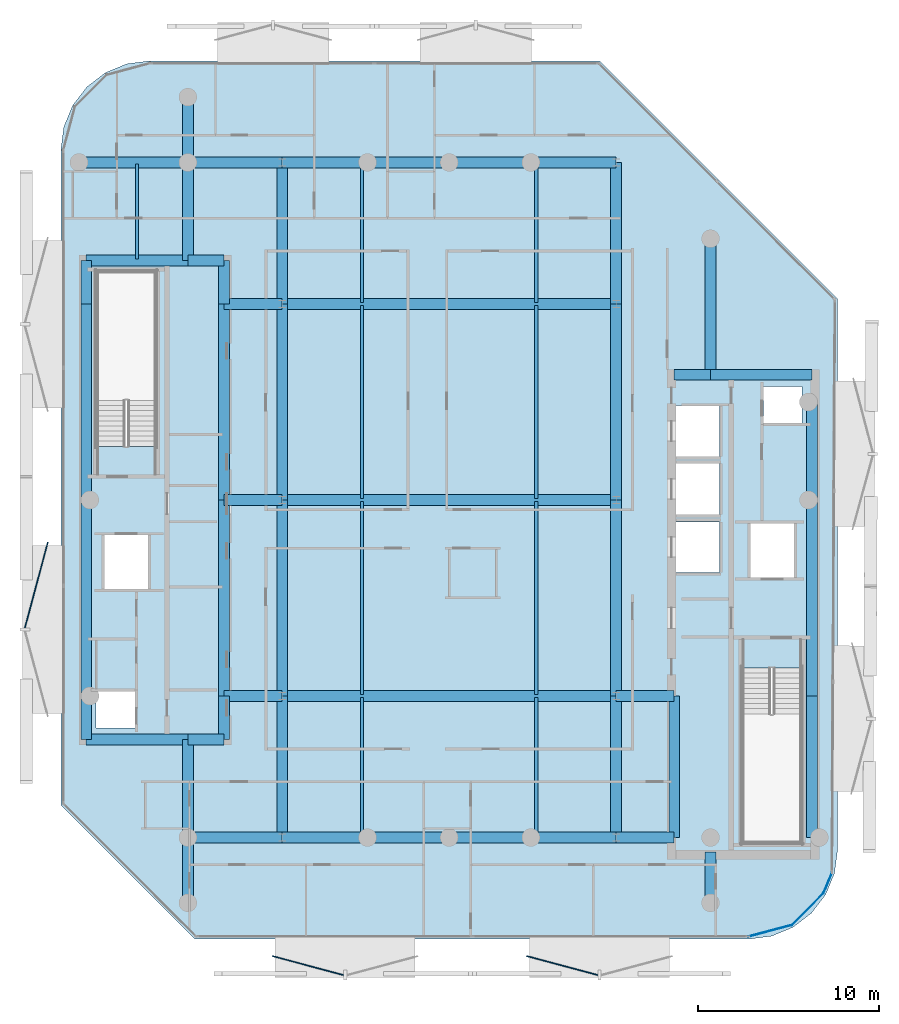
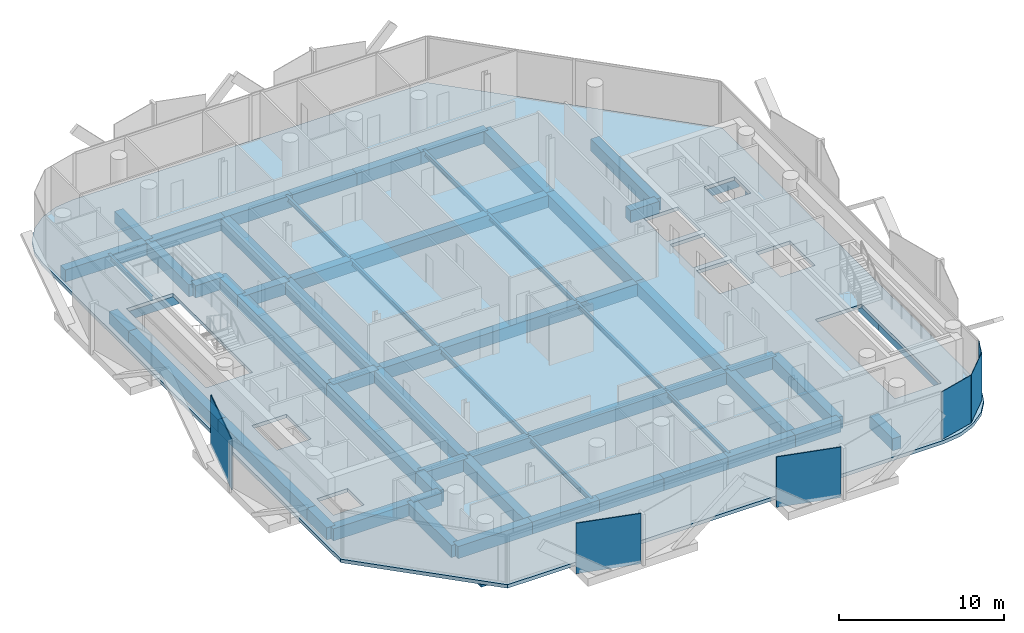
# One storey, part 3 of 16: 60 beams, 6 plates, 1 slab.
"""IFC4 building model written with IfcOpenShell, lengths in metres."""

from ifc_helpers import new_model, si_unit, direction, frame, origin, origin_2d, place, context, subcontext, project, spatial, polyline, rectangle, i_section, outline, extrude, material, layer, layer_set, material_profile, profile_set, type_object, element, save


model = new_model("IFC4")

# Units and contexts
model_context = context("Model", 3, precision=1e-05, world=origin(), true_north=direction((0.0, 1.0)))
body_context = subcontext(model_context, "Body", "Model", "MODEL_VIEW")
ifc_project = project(units=[si_unit("LENGTHUNIT", "METRE"), si_unit("AREAUNIT", "SQUARE_METRE"), si_unit("VOLUMEUNIT", "CUBIC_METRE"), si_unit("PLANEANGLEUNIT", "RADIAN"), si_unit("MASSUNIT", "GRAM", prefix="KILO")], contexts=[model_context])

# Site, building, storey
site_placement = place(None, origin())
site = spatial("IfcSite", under=ifc_project, at=site_placement, CompositionType="ELEMENT")
building_placement = place(site_placement, origin())
building = spatial("IfcBuilding", under=site, at=building_placement, Name="Khairoan Windgate Tower", CompositionType="ELEMENT")
storey_placement = place(building_placement, frame((0.0, 0.0, 296.60009765625)))
storey = spatial("IfcBuildingStorey", under=building, at=storey_placement, Name="L71", CompositionType="ELEMENT", Elevation=296.60009765625)

# Beams
ifc_material_1 = material(Name="Concrete C50/60", Category="concrete")
ifc_material_profile_1 = material_profile(ifc_material_1, rectangle(XDim=0.60009765625, YDim=0.89990234375, at=origin_2d()))
ifc_profile_set_1 = profile_set([ifc_material_profile_1], Name="Concrete C50/60")
beam_type_1 = type_object("IfcBeamType", Name="Beam B-RC1 RC600x900", PredefinedType="BEAM", material=ifc_profile_set_1)
beam_1_placement = place(storey_placement, frame((-14.39990234375, -18.60009765625, -0.710205078125), z_axis=(1.0, 0.0, 0.0), x_axis=(0.0, 1.0, 0.0)))
element("IfcBeam", 1, at=beam_1_placement, inside=storey, type_object=beam_type_1, Name="L71 E-W Primary Girder 01", PredefinedType="BEAM", context=body_context, shape_type="SweptSolid", body=[
    extrude(rectangle(XDim=0.60009765625, YDim=0.89990234375, at=origin_2d()), origin(), (0.0, 0.0, 1.0), 5.199951171875),
])
beam_2_placement = place(storey_placement, frame((-9.199951171875, -18.60009765625, -0.710205078125), z_axis=(1.0, 0.0, 0.0), x_axis=(0.0, 1.0, 0.0)))
element("IfcBeam", 2, at=beam_2_placement, inside=storey, type_object=beam_type_1, Name="L71 E-W Primary Girder 02", PredefinedType="BEAM", context=body_context, shape_type="SweptSolid", body=[
    extrude(rectangle(XDim=0.60009765625, YDim=0.89990234375, at=origin_2d()), origin(), (0.0, 0.0, 1.0), 4.699951171875),
])
for number, where, z_axis, x_axis, name in (
    (3, (-4.5, -18.60009765625, -0.710205078125), (1.0, 0.0, 0.0), (0.0, 1.0, 0.0), "L71 E-W Primary Girder 03"),
    (4, (0.0, -18.60009765625, -0.710205078125), (1.0, 0.0, 0.0), (0.0, 1.0, 0.0), "L71 E-W Primary Girder 04"),
):
    element("IfcBeam", number, at=place(storey_placement, frame(where, z_axis=z_axis, x_axis=x_axis)), inside=storey, type_object=beam_type_1, Name=name, PredefinedType="BEAM", context=body_context, shape_type="SweptSolid", body=[
        extrude(rectangle(XDim=0.60009765625, YDim=0.89990234375, at=origin_2d()), origin(), (0.0, 0.0, 1.0), 4.5),
    ])
beam_3_placement = place(storey_placement, frame((4.5, -18.60009765625, -0.710205078125), z_axis=(1.0, 0.0, 0.0), x_axis=(0.0, 1.0, 0.0)))
element("IfcBeam", 5, at=beam_3_placement, inside=storey, type_object=beam_type_1, Name="L71 E-W Primary Girder 05", PredefinedType="BEAM", context=body_context, shape_type="SweptSolid", body=[
    extrude(rectangle(XDim=0.60009765625, YDim=0.89990234375, at=origin_2d()), origin(), (0.0, 0.0, 1.0), 4.699951171875),
])
beam_4_placement = place(storey_placement, frame((9.199951171875, -18.60009765625, -0.710205078125), z_axis=(1.0, 0.0, 0.0), x_axis=(0.0, 1.0, 0.0)))
element("IfcBeam", 6, at=beam_4_placement, inside=storey, type_object=beam_type_1, Name="L71 E-W Primary Girder 06", PredefinedType="BEAM", context=body_context, shape_type="SweptSolid", body=[
    extrude(rectangle(XDim=0.60009765625, YDim=0.89990234375, at=origin_2d()), origin(), (0.0, 0.0, 1.0), 3.199951171875),
])
beam_5_placement = place(storey_placement, frame((-20.0, -13.199951171875, -0.710205078125), z_axis=(1.0, 0.0, 0.0), x_axis=(0.0, 1.0, 0.0)))
element("IfcBeam", 7, at=beam_5_placement, inside=storey, type_object=beam_type_1, Name="L71 E-W Primary Girder 07", PredefinedType="BEAM", context=body_context, shape_type="SweptSolid", body=[
    extrude(rectangle(XDim=0.60009765625, YDim=0.89990234375, at=origin_2d()), origin(), (0.0, 0.0, 1.0), 5.60009765625),
])
beam_6_placement = place(storey_placement, frame((-14.39990234375, -13.199951171875, -0.710205078125), z_axis=(1.0, 0.0, 0.0), x_axis=(0.0, 1.0, 0.0)))
element("IfcBeam", 8, at=beam_6_placement, inside=storey, type_object=beam_type_1, Name="L71 E-W Primary Girder 08", PredefinedType="BEAM", context=body_context, shape_type="SweptSolid", body=[
    extrude(rectangle(XDim=0.60009765625, YDim=0.89990234375, at=origin_2d()), origin(), (0.0, 0.0, 1.0), 2.0),
])
beam_7_placement = place(storey_placement, frame((-12.39990234375, -10.800048828125, -0.710205078125), z_axis=(1.0, 0.0, 0.0), x_axis=(0.0, 1.0, 0.0)))
element("IfcBeam", 9, at=beam_7_placement, inside=storey, type_object=beam_type_1, Name="L71 E-W Primary Girder 09", PredefinedType="BEAM", context=body_context, shape_type="SweptSolid", body=[
    extrude(rectangle(XDim=0.60009765625, YDim=0.89990234375, at=origin_2d()), origin(), (0.0, 0.0, 1.0), 3.199951171875),
])
beam_8_placement = place(storey_placement, frame((-9.199951171875, -10.800048828125, -0.710205078125), z_axis=(1.0, 0.0, 0.0), x_axis=(0.0, 1.0, 0.0)))
element("IfcBeam", 10, at=beam_8_placement, inside=storey, type_object=beam_type_1, Name="L71 E-W Primary Girder 10", PredefinedType="BEAM", context=body_context, shape_type="SweptSolid", body=[
    extrude(rectangle(XDim=0.60009765625, YDim=0.89990234375, at=origin_2d()), origin(), (0.0, 0.0, 1.0), 18.39990234375),
])
for number, where, z_axis, x_axis, name in (
    (11, (9.199951171875, -10.800048828125, -0.710205078125), (1.0, 0.0, 0.0), (0.0, 1.0, 0.0), "L71 E-W Primary Girder 11"),
    (12, (-12.39990234375, 0.0, -0.710205078125), (1.0, 0.0, 0.0), (0.0, 1.0, 0.0), "L71 E-W Primary Girder 12"),
):
    element("IfcBeam", number, at=place(storey_placement, frame(where, z_axis=z_axis, x_axis=x_axis)), inside=storey, type_object=beam_type_1, Name=name, PredefinedType="BEAM", context=body_context, shape_type="SweptSolid", body=[
        extrude(rectangle(XDim=0.60009765625, YDim=0.89990234375, at=origin_2d()), origin(), (0.0, 0.0, 1.0), 3.199951171875),
    ])
beam_9_placement = place(storey_placement, frame((-9.199951171875, 0.0, -0.710205078125), z_axis=(1.0, 0.0, 0.0), x_axis=(0.0, 1.0, 0.0)))
element("IfcBeam", 13, at=beam_9_placement, inside=storey, type_object=beam_type_1, Name="L71 E-W Primary Girder 13", PredefinedType="BEAM", context=body_context, shape_type="SweptSolid", body=[
    extrude(rectangle(XDim=0.60009765625, YDim=0.89990234375, at=origin_2d()), origin(), (0.0, 0.0, 1.0), 18.39990234375),
])
beam_10_placement = place(storey_placement, frame((12.39990234375, 6.89990234375, -0.710205078125), z_axis=(1.0, 0.0, 0.0), x_axis=(0.0, 1.0, 0.0)))
element("IfcBeam", 14, at=beam_10_placement, inside=storey, type_object=beam_type_1, Name="L71 E-W Primary Girder 14", PredefinedType="BEAM", context=body_context, shape_type="SweptSolid", body=[
    extrude(rectangle(XDim=0.60009765625, YDim=0.89990234375, at=origin_2d()), origin(), (0.0, 0.0, 1.0), 2.0),
])
beam_11_placement = place(storey_placement, frame((14.39990234375, 6.89990234375, -0.710205078125), z_axis=(1.0, 0.0, 0.0), x_axis=(0.0, 1.0, 0.0)))
element("IfcBeam", 15, at=beam_11_placement, inside=storey, type_object=beam_type_1, Name="L71 E-W Primary Girder 15", PredefinedType="BEAM", context=body_context, shape_type="SweptSolid", body=[
    extrude(rectangle(XDim=0.60009765625, YDim=0.89990234375, at=origin_2d()), origin(), (0.0, 0.0, 1.0), 5.60009765625),
])
beam_12_placement = place(storey_placement, frame((-12.39990234375, 10.800048828125, -0.710205078125), z_axis=(1.0, 0.0, 0.0), x_axis=(0.0, 1.0, 0.0)))
element("IfcBeam", 16, at=beam_12_placement, inside=storey, type_object=beam_type_1, Name="L71 E-W Primary Girder 16", PredefinedType="BEAM", context=body_context, shape_type="SweptSolid", body=[
    extrude(rectangle(XDim=0.60009765625, YDim=0.89990234375, at=origin_2d()), origin(), (0.0, 0.0, 1.0), 3.199951171875),
])
beam_13_placement = place(storey_placement, frame((-9.199951171875, 10.800048828125, -0.710205078125), z_axis=(1.0, 0.0, 0.0), x_axis=(0.0, 1.0, 0.0)))
element("IfcBeam", 17, at=beam_13_placement, inside=storey, type_object=beam_type_1, Name="L71 E-W Primary Girder 17", PredefinedType="BEAM", context=body_context, shape_type="SweptSolid", body=[
    extrude(rectangle(XDim=0.60009765625, YDim=0.89990234375, at=origin_2d()), origin(), (0.0, 0.0, 1.0), 18.39990234375),
])
beam_14_placement = place(storey_placement, frame((-20.0, 13.199951171875, -0.710205078125), z_axis=(1.0, 0.0, 0.0), x_axis=(0.0, 1.0, 0.0)))
element("IfcBeam", 18, at=beam_14_placement, inside=storey, type_object=beam_type_1, Name="L71 E-W Primary Girder 18", PredefinedType="BEAM", context=body_context, shape_type="SweptSolid", body=[
    extrude(rectangle(XDim=0.60009765625, YDim=0.89990234375, at=origin_2d()), origin(), (0.0, 0.0, 1.0), 5.60009765625),
])
beam_15_placement = place(storey_placement, frame((-14.39990234375, 13.199951171875, -0.710205078125), z_axis=(1.0, 0.0, 0.0), x_axis=(0.0, 1.0, 0.0)))
element("IfcBeam", 19, at=beam_15_placement, inside=storey, type_object=beam_type_1, Name="L71 E-W Primary Girder 19", PredefinedType="BEAM", context=body_context, shape_type="SweptSolid", body=[
    extrude(rectangle(XDim=0.60009765625, YDim=0.89990234375, at=origin_2d()), origin(), (0.0, 0.0, 1.0), 2.0),
])
beam_16_placement = place(storey_placement, frame((-20.39990234375, 18.60009765625, -0.710205078125), z_axis=(1.0, 0.0, 0.0), x_axis=(0.0, 1.0, 0.0)))
element("IfcBeam", 20, at=beam_16_placement, inside=storey, type_object=beam_type_1, Name="L71 E-W Primary Girder 20", PredefinedType="BEAM", context=body_context, shape_type="SweptSolid", body=[
    extrude(rectangle(XDim=0.60009765625, YDim=0.89990234375, at=origin_2d()), origin(), (0.0, 0.0, 1.0), 6.0),
])
beam_17_placement = place(storey_placement, frame((-14.39990234375, 18.60009765625, -0.710205078125), z_axis=(1.0, 0.0, 0.0), x_axis=(0.0, 1.0, 0.0)))
element("IfcBeam", 21, at=beam_17_placement, inside=storey, type_object=beam_type_1, Name="L71 E-W Primary Girder 21", PredefinedType="BEAM", context=body_context, shape_type="SweptSolid", body=[
    extrude(rectangle(XDim=0.60009765625, YDim=0.89990234375, at=origin_2d()), origin(), (0.0, 0.0, 1.0), 5.199951171875),
])
beam_18_placement = place(storey_placement, frame((-9.199951171875, 18.60009765625, -0.710205078125), z_axis=(1.0, 0.0, 0.0), x_axis=(0.0, 1.0, 0.0)))
element("IfcBeam", 22, at=beam_18_placement, inside=storey, type_object=beam_type_1, Name="L71 E-W Primary Girder 22", PredefinedType="BEAM", context=body_context, shape_type="SweptSolid", body=[
    extrude(rectangle(XDim=0.60009765625, YDim=0.89990234375, at=origin_2d()), origin(), (0.0, 0.0, 1.0), 4.699951171875),
])
for number, where, z_axis, x_axis, name in (
    (23, (-4.5, 18.60009765625, -0.710205078125), (1.0, 0.0, 0.0), (0.0, 1.0, 0.0), "L71 E-W Primary Girder 23"),
    (24, (0.0, 18.60009765625, -0.710205078125), (1.0, 0.0, 0.0), (0.0, 1.0, 0.0), "L71 E-W Primary Girder 24"),
):
    element("IfcBeam", number, at=place(storey_placement, frame(where, z_axis=z_axis, x_axis=x_axis)), inside=storey, type_object=beam_type_1, Name=name, PredefinedType="BEAM", context=body_context, shape_type="SweptSolid", body=[
        extrude(rectangle(XDim=0.60009765625, YDim=0.89990234375, at=origin_2d()), origin(), (0.0, 0.0, 1.0), 4.5),
    ])
beam_19_placement = place(storey_placement, frame((4.5, 18.60009765625, -0.710205078125), z_axis=(1.0, 0.0, 0.0), x_axis=(0.0, 1.0, 0.0)))
element("IfcBeam", 25, at=beam_19_placement, inside=storey, type_object=beam_type_1, Name="L71 E-W Primary Girder 25", PredefinedType="BEAM", context=body_context, shape_type="SweptSolid", body=[
    extrude(rectangle(XDim=0.60009765625, YDim=0.89990234375, at=origin_2d()), origin(), (0.0, 0.0, 1.0), 4.699951171875),
])
beam_20_placement = place(storey_placement, frame((-20.0, -13.199951171875, -0.710205078125), z_axis=(0.0, 1.0, 0.0), x_axis=(-1.0, 0.0, 0.0)))
element("IfcBeam", 26, at=beam_20_placement, inside=storey, type_object=beam_type_1, Name="L71 N-S Primary Beam 26", PredefinedType="BEAM", context=body_context, shape_type="SweptSolid", body=[
    extrude(rectangle(XDim=0.60009765625, YDim=0.89990234375, at=origin_2d()), origin(), (0.0, 0.0, 1.0), 2.39990234375),
])
for number, where, z_axis, x_axis, name in (
    (27, (-20.0, -10.800048828125, -0.710205078125), (0.0, 1.0, 0.0), (-1.0, 0.0, 0.0), "L71 N-S Primary Beam 27"),
    (28, (-20.0, 0.0, -0.710205078125), (0.0, 1.0, 0.0), (-1.0, 0.0, 0.0), "L71 N-S Primary Beam 28"),
):
    element("IfcBeam", number, at=place(storey_placement, frame(where, z_axis=z_axis, x_axis=x_axis)), inside=storey, type_object=beam_type_1, Name=name, PredefinedType="BEAM", context=body_context, shape_type="SweptSolid", body=[
        extrude(rectangle(XDim=0.60009765625, YDim=0.89990234375, at=origin_2d()), origin(), (0.0, 0.0, 1.0), 10.800048828125),
    ])
beam_21_placement = place(storey_placement, frame((-20.0, 10.800048828125, -0.710205078125), z_axis=(0.0, 1.0, 0.0), x_axis=(-1.0, 0.0, 0.0)))
element("IfcBeam", 29, at=beam_21_placement, inside=storey, type_object=beam_type_1, Name="L71 N-S Primary Beam 29", PredefinedType="BEAM", context=body_context, shape_type="SweptSolid", body=[
    extrude(rectangle(XDim=0.60009765625, YDim=0.89990234375, at=origin_2d()), origin(), (0.0, 0.0, 1.0), 2.39990234375),
])
beam_22_placement = place(storey_placement, frame((-14.39990234375, -22.199951171875, -0.710205078125), z_axis=(0.0, 1.0, 0.0), x_axis=(-1.0, 0.0, 0.0)))
element("IfcBeam", 30, at=beam_22_placement, inside=storey, type_object=beam_type_1, Name="L71 N-S Primary Beam 30", PredefinedType="BEAM", context=body_context, shape_type="SweptSolid", body=[
    extrude(rectangle(XDim=0.60009765625, YDim=0.89990234375, at=origin_2d()), origin(), (0.0, 0.0, 1.0), 3.599853515625),
])
for number, where, z_axis, x_axis, name in (
    (31, (-14.39990234375, -18.60009765625, -0.710205078125), (0.0, 1.0, 0.0), (-1.0, 0.0, 0.0), "L71 N-S Primary Beam 31"),
    (32, (-14.39990234375, 13.199951171875, -0.710205078125), (0.0, 1.0, 0.0), (-1.0, 0.0, 0.0), "L71 N-S Primary Beam 32"),
):
    element("IfcBeam", number, at=place(storey_placement, frame(where, z_axis=z_axis, x_axis=x_axis)), inside=storey, type_object=beam_type_1, Name=name, PredefinedType="BEAM", context=body_context, shape_type="SweptSolid", body=[
        extrude(rectangle(XDim=0.60009765625, YDim=0.89990234375, at=origin_2d()), origin(), (0.0, 0.0, 1.0), 5.400146484375),
    ])
beam_23_placement = place(storey_placement, frame((-14.39990234375, 18.60009765625, -0.710205078125), z_axis=(0.0, 1.0, 0.0), x_axis=(-1.0, 0.0, 0.0)))
element("IfcBeam", 33, at=beam_23_placement, inside=storey, type_object=beam_type_1, Name="L71 N-S Primary Beam 33", PredefinedType="BEAM", context=body_context, shape_type="SweptSolid", body=[
    extrude(rectangle(XDim=0.60009765625, YDim=0.89990234375, at=origin_2d()), origin(), (0.0, 0.0, 1.0), 3.599853515625),
])
beam_24_placement = place(storey_placement, frame((-12.39990234375, -13.199951171875, -0.710205078125), z_axis=(0.0, 1.0, 0.0), x_axis=(-1.0, 0.0, 0.0)))
element("IfcBeam", 34, at=beam_24_placement, inside=storey, type_object=beam_type_1, Name="L71 N-S Primary Beam 34", PredefinedType="BEAM", context=body_context, shape_type="SweptSolid", body=[
    extrude(rectangle(XDim=0.60009765625, YDim=0.89990234375, at=origin_2d()), origin(), (0.0, 0.0, 1.0), 2.39990234375),
])
for number, where, z_axis, x_axis, name in (
    (35, (-12.39990234375, -10.800048828125, -0.710205078125), (0.0, 1.0, 0.0), (-1.0, 0.0, 0.0), "L71 N-S Primary Beam 35"),
    (36, (-12.39990234375, 0.0, -0.710205078125), (0.0, 1.0, 0.0), (-1.0, 0.0, 0.0), "L71 N-S Primary Beam 36"),
):
    element("IfcBeam", number, at=place(storey_placement, frame(where, z_axis=z_axis, x_axis=x_axis)), inside=storey, type_object=beam_type_1, Name=name, PredefinedType="BEAM", context=body_context, shape_type="SweptSolid", body=[
        extrude(rectangle(XDim=0.60009765625, YDim=0.89990234375, at=origin_2d()), origin(), (0.0, 0.0, 1.0), 10.800048828125),
    ])
beam_25_placement = place(storey_placement, frame((-12.39990234375, 10.800048828125, -0.710205078125), z_axis=(0.0, 1.0, 0.0), x_axis=(-1.0, 0.0, 0.0)))
element("IfcBeam", 37, at=beam_25_placement, inside=storey, type_object=beam_type_1, Name="L71 N-S Primary Beam 37", PredefinedType="BEAM", context=body_context, shape_type="SweptSolid", body=[
    extrude(rectangle(XDim=0.60009765625, YDim=0.89990234375, at=origin_2d()), origin(), (0.0, 0.0, 1.0), 2.39990234375),
])
beam_26_placement = place(storey_placement, frame((-9.199951171875, -18.60009765625, -0.710205078125), z_axis=(0.0, 1.0, 0.0), x_axis=(-1.0, 0.0, 0.0)))
element("IfcBeam", 38, at=beam_26_placement, inside=storey, type_object=beam_type_1, Name="L71 N-S Primary Beam 38", PredefinedType="BEAM", context=body_context, shape_type="SweptSolid", body=[
    extrude(rectangle(XDim=0.60009765625, YDim=0.89990234375, at=origin_2d()), origin(), (0.0, 0.0, 1.0), 7.800048828125),
])
for number, where, z_axis, x_axis, name in (
    (39, (-9.199951171875, -10.800048828125, -0.710205078125), (0.0, 1.0, 0.0), (-1.0, 0.0, 0.0), "L71 N-S Primary Beam 39"),
    (40, (-9.199951171875, 0.0, -0.710205078125), (0.0, 1.0, 0.0), (-1.0, 0.0, 0.0), "L71 N-S Primary Beam 40"),
):
    element("IfcBeam", number, at=place(storey_placement, frame(where, z_axis=z_axis, x_axis=x_axis)), inside=storey, type_object=beam_type_1, Name=name, PredefinedType="BEAM", context=body_context, shape_type="SweptSolid", body=[
        extrude(rectangle(XDim=0.60009765625, YDim=0.89990234375, at=origin_2d()), origin(), (0.0, 0.0, 1.0), 10.800048828125),
    ])
for number, where, z_axis, x_axis, name in (
    (41, (-9.199951171875, 10.800048828125, -0.710205078125), (0.0, 1.0, 0.0), (-1.0, 0.0, 0.0), "L71 N-S Primary Beam 41"),
    (42, (9.199951171875, -18.60009765625, -0.710205078125), (0.0, 1.0, 0.0), (-1.0, 0.0, 0.0), "L71 N-S Primary Beam 42"),
):
    element("IfcBeam", number, at=place(storey_placement, frame(where, z_axis=z_axis, x_axis=x_axis)), inside=storey, type_object=beam_type_1, Name=name, PredefinedType="BEAM", context=body_context, shape_type="SweptSolid", body=[
        extrude(rectangle(XDim=0.60009765625, YDim=0.89990234375, at=origin_2d()), origin(), (0.0, 0.0, 1.0), 7.800048828125),
    ])
for number, where, z_axis, x_axis, name in (
    (43, (9.199951171875, -10.800048828125, -0.710205078125), (0.0, 1.0, 0.0), (-1.0, 0.0, 0.0), "L71 N-S Primary Beam 43"),
    (44, (9.199951171875, 0.0, -0.710205078125), (0.0, 1.0, 0.0), (-1.0, 0.0, 0.0), "L71 N-S Primary Beam 44"),
):
    element("IfcBeam", number, at=place(storey_placement, frame(where, z_axis=z_axis, x_axis=x_axis)), inside=storey, type_object=beam_type_1, Name=name, PredefinedType="BEAM", context=body_context, shape_type="SweptSolid", body=[
        extrude(rectangle(XDim=0.60009765625, YDim=0.89990234375, at=origin_2d()), origin(), (0.0, 0.0, 1.0), 10.800048828125),
    ])
for number, where, z_axis, x_axis, name in (
    (45, (9.199951171875, 10.800048828125, -0.710205078125), (0.0, 1.0, 0.0), (-1.0, 0.0, 0.0), "L71 N-S Primary Beam 45"),
    (46, (12.39990234375, -18.60009765625, -0.710205078125), (0.0, 1.0, 0.0), (-1.0, 0.0, 0.0), "L71 N-S Primary Beam 46"),
):
    element("IfcBeam", number, at=place(storey_placement, frame(where, z_axis=z_axis, x_axis=x_axis)), inside=storey, type_object=beam_type_1, Name=name, PredefinedType="BEAM", context=body_context, shape_type="SweptSolid", body=[
        extrude(rectangle(XDim=0.60009765625, YDim=0.89990234375, at=origin_2d()), origin(), (0.0, 0.0, 1.0), 7.800048828125),
    ])
beam_27_placement = place(storey_placement, frame((14.39990234375, -22.199951171875, -0.710205078125), z_axis=(0.0, 1.0, 0.0), x_axis=(-1.0, 0.0, 0.0)))
element("IfcBeam", 47, at=beam_27_placement, inside=storey, type_object=beam_type_1, Name="L71 N-S Primary Beam 47", PredefinedType="BEAM", context=body_context, shape_type="SweptSolid", body=[
    extrude(rectangle(XDim=0.60009765625, YDim=0.89990234375, at=origin_2d()), origin(), (0.0, 0.0, 1.0), 2.800048828125),
])
beam_28_placement = place(storey_placement, frame((14.39990234375, 6.89990234375, -0.710205078125), z_axis=(0.0, 1.0, 0.0), x_axis=(-1.0, 0.0, 0.0)))
element("IfcBeam", 48, at=beam_28_placement, inside=storey, type_object=beam_type_1, Name="L71 N-S Primary Beam 48", PredefinedType="BEAM", context=body_context, shape_type="SweptSolid", body=[
    extrude(rectangle(XDim=0.60009765625, YDim=0.89990234375, at=origin_2d()), origin(), (0.0, 0.0, 1.0), 7.5),
])
beam_29_placement = place(storey_placement, frame((20.0, -18.60009765625, -0.710205078125), z_axis=(0.0, 1.0, 0.0), x_axis=(-1.0, 0.0, 0.0)))
element("IfcBeam", 49, at=beam_29_placement, inside=storey, type_object=beam_type_1, Name="L71 N-S Primary Beam 49", PredefinedType="BEAM", context=body_context, shape_type="SweptSolid", body=[
    extrude(rectangle(XDim=0.60009765625, YDim=0.89990234375, at=origin_2d()), origin(), (0.0, 0.0, 1.0), 7.800048828125),
])
beam_30_placement = place(storey_placement, frame((20.0, -10.800048828125, -0.710205078125), z_axis=(0.0, 1.0, 0.0), x_axis=(-1.0, 0.0, 0.0)))
element("IfcBeam", 50, at=beam_30_placement, inside=storey, type_object=beam_type_1, Name="L71 N-S Primary Beam 50", PredefinedType="BEAM", context=body_context, shape_type="SweptSolid", body=[
    extrude(rectangle(XDim=0.60009765625, YDim=0.89990234375, at=origin_2d()), origin(), (0.0, 0.0, 1.0), 10.800048828125),
])
beam_31_placement = place(storey_placement, frame((20.0, 0.0, -0.710205078125), z_axis=(0.0, 1.0, 0.0), x_axis=(-1.0, 0.0, 0.0)))
element("IfcBeam", 51, at=beam_31_placement, inside=storey, type_object=beam_type_1, Name="L71 N-S Primary Beam 51", PredefinedType="BEAM", context=body_context, shape_type="SweptSolid", body=[
    extrude(rectangle(XDim=0.60009765625, YDim=0.89990234375, at=origin_2d()), origin(), (0.0, 0.0, 1.0), 5.39990234375),
])
ifc_material_2 = material(Name="Steel S355", Category="steel")
ifc_material_profile_2 = material_profile(ifc_material_2, i_section(OverallWidth=0.175048828125, OverallDepth=0.35009765625, WebThickness=0.007080078125, FlangeThickness=0.010986328125, FilletRadius=0.013916015625, at=origin_2d()))
ifc_profile_set_2 = profile_set([ifc_material_profile_2], Name="Steel S355")
beam_type_2 = type_object("IfcBeamType", Name="Beam J-S5 H350x175x7x11", PredefinedType="JOIST", material=ifc_profile_set_2)
beam_32_placement = place(storey_placement, frame((-17.199951171875, 13.2900390625, -0.43505859375), z_axis=(0.0, 1.0, 0.0), x_axis=(-1.0, 0.0, 0.0)))
element("IfcBeam", 52, at=beam_32_placement, inside=storey, type_object=beam_type_2, Name="L71 Secondary Floor Joist 01", PredefinedType="JOIST", context=body_context, shape_type="SweptSolid", body=[
    extrude(i_section(OverallWidth=0.175048828125, OverallDepth=0.35009765625, WebThickness=0.007080078125, FlangeThickness=0.010986328125, FilletRadius=0.013916015625, at=origin_2d()), origin(), (0.0, 0.0, 1.0), 5.219970703125),
])
beam_33_placement = place(storey_placement, frame((-4.800048828125, -18.510009765625, -0.43505859375), z_axis=(0.0, 1.0, 0.0), x_axis=(-1.0, 0.0, 0.0)))
element("IfcBeam", 53, at=beam_33_placement, inside=storey, type_object=beam_type_2, Name="L71 Secondary Floor Joist 02", PredefinedType="JOIST", context=body_context, shape_type="SweptSolid", body=[
    extrude(i_section(OverallWidth=0.175048828125, OverallDepth=0.35009765625, WebThickness=0.007080078125, FlangeThickness=0.010986328125, FilletRadius=0.013916015625, at=origin_2d()), origin(), (0.0, 0.0, 1.0), 7.6201171875),
])
for number, where, z_axis, x_axis, name in (
    (54, (-4.800048828125, -10.7099609375, -0.43505859375), (0.0, 1.0, 0.0), (-1.0, 0.0, 0.0), "L71 Secondary Floor Joist 03"),
    (55, (-4.800048828125, 0.090087890625, -0.43505859375), (0.0, 1.0, 0.0), (-1.0, 0.0, 0.0), "L71 Secondary Floor Joist 04"),
):
    element("IfcBeam", number, at=place(storey_placement, frame(where, z_axis=z_axis, x_axis=x_axis)), inside=storey, type_object=beam_type_2, Name=name, PredefinedType="JOIST", context=body_context, shape_type="SweptSolid", body=[
        extrude(i_section(OverallWidth=0.175048828125, OverallDepth=0.35009765625, WebThickness=0.007080078125, FlangeThickness=0.010986328125, FilletRadius=0.013916015625, at=origin_2d()), origin(), (0.0, 0.0, 1.0), 10.619873046875),
    ])
for number, where, z_axis, x_axis, name in (
    (56, (-4.800048828125, 10.889892578125, -0.43505859375), (0.0, 1.0, 0.0), (-1.0, 0.0, 0.0), "L71 Secondary Floor Joist 05"),
    (57, (4.800048828125, -18.510009765625, -0.43505859375), (0.0, 1.0, 0.0), (-1.0, 0.0, 0.0), "L71 Secondary Floor Joist 06"),
):
    element("IfcBeam", number, at=place(storey_placement, frame(where, z_axis=z_axis, x_axis=x_axis)), inside=storey, type_object=beam_type_2, Name=name, PredefinedType="JOIST", context=body_context, shape_type="SweptSolid", body=[
        extrude(i_section(OverallWidth=0.175048828125, OverallDepth=0.35009765625, WebThickness=0.007080078125, FlangeThickness=0.010986328125, FilletRadius=0.013916015625, at=origin_2d()), origin(), (0.0, 0.0, 1.0), 7.6201171875),
    ])
for number, where, z_axis, x_axis, name in (
    (58, (4.800048828125, -10.7099609375, -0.43505859375), (0.0, 1.0, 0.0), (-1.0, 0.0, 0.0), "L71 Secondary Floor Joist 07"),
    (59, (4.800048828125, 0.090087890625, -0.43505859375), (0.0, 1.0, 0.0), (-1.0, 0.0, 0.0), "L71 Secondary Floor Joist 08"),
):
    element("IfcBeam", number, at=place(storey_placement, frame(where, z_axis=z_axis, x_axis=x_axis)), inside=storey, type_object=beam_type_2, Name=name, PredefinedType="JOIST", context=body_context, shape_type="SweptSolid", body=[
        extrude(i_section(OverallWidth=0.175048828125, OverallDepth=0.35009765625, WebThickness=0.007080078125, FlangeThickness=0.010986328125, FilletRadius=0.013916015625, at=origin_2d()), origin(), (0.0, 0.0, 1.0), 10.619873046875),
    ])
beam_34_placement = place(storey_placement, frame((4.800048828125, 10.889892578125, -0.43505859375), z_axis=(0.0, 1.0, 0.0), x_axis=(-1.0, 0.0, 0.0)))
element("IfcBeam", 60, at=beam_34_placement, inside=storey, type_object=beam_type_2, Name="L71 Secondary Floor Joist 09", PredefinedType="JOIST", context=body_context, shape_type="SweptSolid", body=[
    extrude(i_section(OverallWidth=0.175048828125, OverallDepth=0.35009765625, WebThickness=0.007080078125, FlangeThickness=0.010986328125, FilletRadius=0.013916015625, at=origin_2d()), origin(), (0.0, 0.0, 1.0), 7.6201171875),
])

# Plates
ifc_material_3 = material(Name="Low-E Solar Control Laminated Glass", Category="glass")
ifc_layer_1 = layer(ifc_material_3, 0.030029296875, Name="Low-E Solar Control Laminated Glass")
ifc_layer_set_1 = layer_set([ifc_layer_1], Name="Low-E Solar Control Laminated Glass")
plate_type_1 = type_object("IfcPlateType", Name="Aerodynamic Wind-Corner Curved Glazing Plate", PredefinedType="USERDEFINED", material=ifc_layer_set_1)
plate_1_placement = place(storey_placement, frame((20.85888671875, -21.105712890625, 0.0), z_axis=(0.0, 0.0, 1.0), x_axis=(-0.382683432365, -0.923879532511, 0.0)))
element("IfcPlate", 61, at=plate_1_placement, inside=storey, type_object=plate_type_1, Name="L71 Aerodynamic Wind-Corner Curved Glazing Panel 10", ObjectType="GLAZING PANEL", PredefinedType="USERDEFINED", context=body_context, shape_type="SweptSolid", body=[
    extrude(rectangle(XDim=1.2822265625, YDim=0.035888671875, at=origin_2d()), origin(), (0.0, 0.0, 1.0), 3.5400390625),
])
plate_2_placement = place(storey_placement, frame((19.750244140625, -22.55029296875, 0.0), z_axis=(0.0, 0.0, 1.0), x_axis=(-0.707106781187, -0.707106781187, 0.0)))
element("IfcPlate", 62, at=plate_2_placement, inside=storey, type_object=plate_type_1, Name="L71 Aerodynamic Wind-Corner Curved Glazing Panel 11", ObjectType="GLAZING PANEL", PredefinedType="USERDEFINED", context=body_context, shape_type="SweptSolid", body=[
    extrude(rectangle(XDim=2.50341796875, YDim=0.035888671875, at=origin_2d()), origin(), (0.0, 0.0, 1.0), 3.5400390625),
])
plate_3_placement = place(storey_placement, frame((17.68505859375, -23.740478515625, 0.0), z_axis=(0.0, 0.0, 1.0), x_axis=(-0.966061211211, -0.258313252067, 0.0)))
element("IfcPlate", 63, at=plate_3_placement, inside=storey, type_object=plate_type_1, Name="L71 Aerodynamic Wind-Corner Curved Glazing Panel 12", ObjectType="GLAZING PANEL", PredefinedType="USERDEFINED", context=body_context, shape_type="SweptSolid", body=[
    extrude(rectangle(XDim=2.512451171875, YDim=0.035888671875, at=origin_2d()), origin(), (0.0, 0.0, 1.0), 3.5400390625),
])
ifc_material_4 = material(Name="Anodised Bronze Aluminium 6063-T6", Category="aluminium")
ifc_layer_2 = layer(ifc_material_4, 0.054931640625, Name="Anodised Bronze Aluminium 6063-T6")
ifc_layer_set_2 = layer_set([ifc_layer_2], Name="Anodised Bronze Aluminium 6063-T6")
plate_type_2 = type_object("IfcPlateType", Name="Perforated Bronze Solar Screen Upper Panel BSP-2", PredefinedType="USERDEFINED", material=ifc_layer_set_2)
for number, where, z_axis, x_axis, name in (
    (64, (6.2294921875, -25.654052734375, -0.10009765625), (0.0, 0.0, 1.0), (-0.965925826289, 0.258819045103, 0.0), "L71 Perforated Bronze Solar Screen Panel 494R"),
    (65, (-7.787109375, -25.654052734375, -0.10009765625), (0.0, 0.0, 1.0), (-0.965925826289, 0.258819045103, 0.0), "L71 Perforated Bronze Solar Screen Panel 495R"),
):
    element("IfcPlate", number, at=place(storey_placement, frame(where, z_axis=z_axis, x_axis=x_axis)), inside=storey, type_object=plate_type_2, Name=name, ObjectType="SCREEN", PredefinedType="USERDEFINED", context=body_context, shape_type="SweptSolid", body=[
        extrude(rectangle(XDim=4.06494140625, YDim=0.054931640625, at=origin_2d()), origin(), (0.0, 0.0, 1.0), 3.739990234375),
    ])
plate_4_placement = place(storey_placement, frame((-22.748779296875, -4.6884765625, -0.10009765625), z_axis=(0.0, 0.0, 1.0), x_axis=(0.258819045103, 0.965925826289, 0.0)))
element("IfcPlate", 66, at=plate_4_placement, inside=storey, type_object=plate_type_2, Name="L71 Perforated Bronze Solar Screen Panel 496R", ObjectType="SCREEN", PredefinedType="USERDEFINED", context=body_context, shape_type="SweptSolid", body=[
    extrude(rectangle(XDim=4.876953125, YDim=0.054931640625, at=origin_2d()), origin(), (0.0, 0.0, 1.0), 3.739990234375),
])

# Slab
ifc_material_5 = material(Name="Concrete C40/50", Category="concrete")
ifc_layer_3 = layer(ifc_material_5, 0.260009765625, Name="Concrete C40/50")
ifc_layer_set_3 = layer_set([ifc_layer_3], Name="Concrete C40/50")
slab_type = type_object("IfcSlabType", Name="Tower Composite Floor Slab FS2 260mm", PredefinedType="FLOOR", material=ifc_layer_set_3)
slab_placement = place(storey_placement, frame((0.0, 0.0, -0.260009765625)))
element("IfcSlab", 67, at=slab_placement, inside=storey, type_object=slab_type, Name="L71 Structural Floor Slab", PredefinedType="FLOOR", context=body_context, shape_type="SweptSolid", body=[
    extrude(outline(polyline([(16.5, -24.199951171875), (17.768310546875, -24.032958984375), (18.949951171875, -23.54345703125), (19.96484375, -22.764892578125), (20.743408203125, -21.75), (21.23291015625, -20.568115234375), (21.39990234375, -19.300048828125), (21.39990234375, 11.10009765625), (8.300048828125, 24.199951171875), (-16.5, 24.199951171875), (-17.768310546875, 24.032958984375), (-18.949951171875, 23.54345703125), (-19.96484375, 22.764892578125), (-20.743408203125, 21.75), (-21.23291015625, 20.568115234375), (-21.39990234375, 19.300048828125), (-21.39990234375, -16.800048828125), (-14.0, -24.199951171875), (16.5, -24.199951171875)]), holes=[polyline([(16.14990234375, -9.260009765625), (16.14990234375, -18.89990234375), (19.419921875, -18.89990234375), (19.419921875, -9.260009765625), (16.14990234375, -9.260009765625)]), polyline([(-16.14990234375, 2.9599609375), (-16.14990234375, 12.60009765625), (-19.419921875, 12.60009765625), (-19.419921875, 2.9599609375), (-16.14990234375, 2.9599609375)]), polyline([(12.5, 2.39990234375), (14.89990234375, 2.39990234375), (14.89990234375, 5.199951171875), (12.5, 5.199951171875), (12.5, 2.39990234375)]), polyline([(12.5, -0.800048828125), (14.89990234375, -0.800048828125), (14.89990234375, 2.0), (12.5, 2.0), (12.5, -0.800048828125)]), polyline([(12.5, -4.0), (14.89990234375, -4.0), (14.89990234375, -1.199951171875), (12.5, -1.199951171875), (12.5, -4.0)]), polyline([(16.60009765625, -4.300048828125), (19.0, -4.300048828125), (19.0, -1.300048828125), (16.60009765625, -1.300048828125), (16.60009765625, -4.300048828125)]), polyline([(-19.0, -4.89990234375), (-16.60009765625, -4.89990234375), (-16.60009765625, -1.89990234375), (-19.0, -1.89990234375), (-19.0, -4.89990234375)]), polyline([(-19.449951171875, -12.550048828125), (-17.31005859375, -12.550048828125), (-17.31005859375, -10.550048828125), (-19.449951171875, -10.550048828125), (-19.449951171875, -12.550048828125)]), polyline([(17.31005859375, 4.25), (19.449951171875, 4.25), (19.449951171875, 6.25), (17.31005859375, 6.25), (17.31005859375, 4.25)])]), origin(), (0.0, 0.0, 1.0), 0.260009765625),
])

save(model, "model.ifc")
